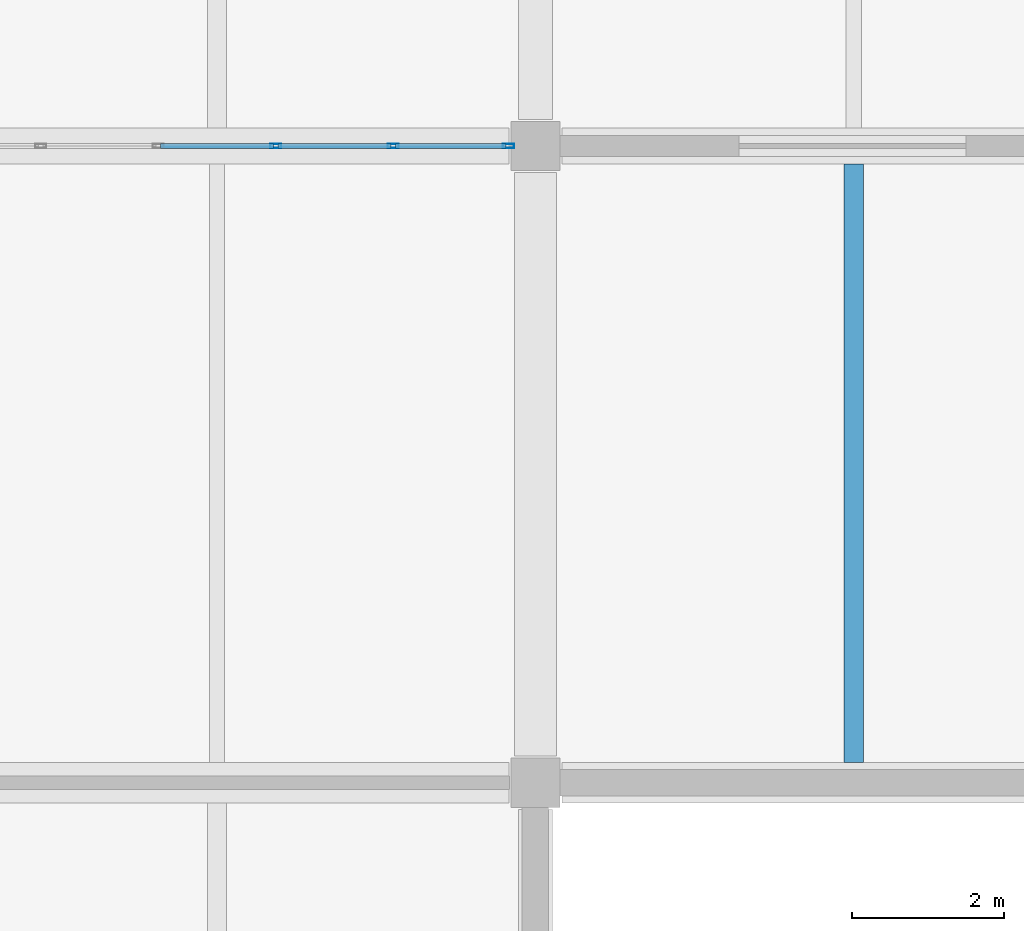
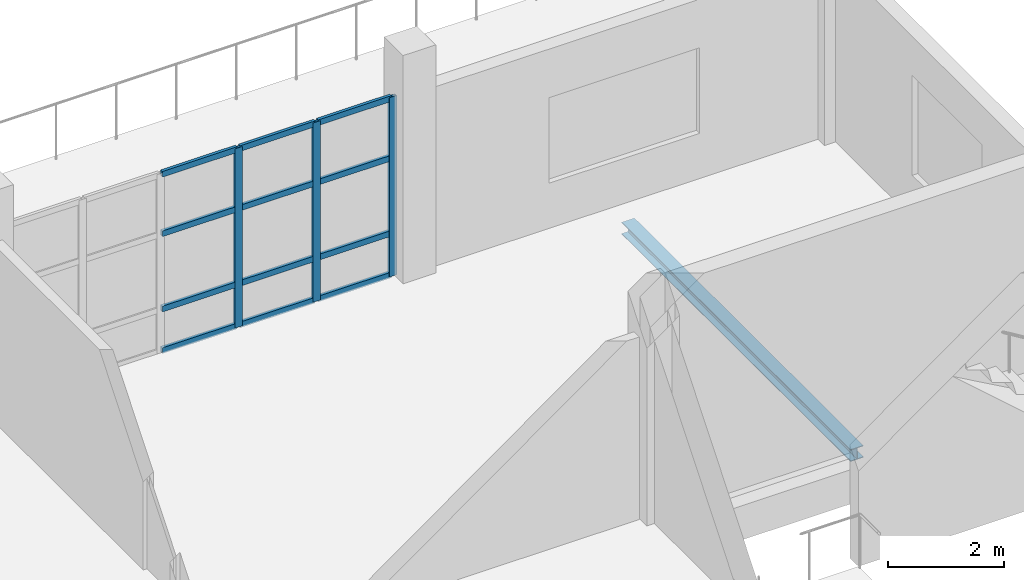
# One storey, part 46 of 79: 15 members, 1 beam, 1 element without a shape of its own.
"""IFC4 building model written with IfcOpenShell, lengths in metres."""

import ifcopenshell
import ifcopenshell.guid

model = None  # the IFC model being written
_history = None  # IfcOwnerHistory: only IFC2X3 demands one
_inside = {}  # id of a spatial element -> (the spatial element, [elements in it])
_under = {}  # id of a project, library or spatial element -> (it, [spatial elements below it])
_declared = {}  # id of a project -> (the project, [libraries it declares])
_typed = {}  # id of a type object -> (the type object, [elements of that type])
_made_of = {}  # id of a material, layer set ... -> (it, [elements and type objects made of it])


def new_model(schema):
    """Start an empty IFC model of exactly this schema.

    Asked for "IFC4X3", IfcOpenShell would pick the latest addendum, in which some entities
    have other attributes; the version numbers below select the first issue.
    IFC2X3 requires an IfcOwnerHistory on every rooted entity: one is made here for all.
    """
    global model, _history
    if schema == "IFC4X3":
        model = ifcopenshell.file(schema_version=(4, 3, 0, 0))
    else:
        model = ifcopenshell.file(schema=schema)
    _inside.clear()
    _under.clear()
    _declared.clear()
    _typed.clear()
    _made_of.clear()
    _history = None
    if model.schema == "IFC2X3":
        org = make("IfcOrganization", Name="unknown")
        user = make(
            "IfcPersonAndOrganization",
            ThePerson=make("IfcPerson", FamilyName="unknown"),
            TheOrganization=org,
        )
        app = make(
            "IfcApplication",
            ApplicationDeveloper=org,
            Version="unknown",
            ApplicationFullName="unknown",
            ApplicationIdentifier="unknown",
        )
        _history = make(
            "IfcOwnerHistory",
            OwningUser=user,
            OwningApplication=app,
            ChangeAction="ADDED",
            CreationDate=0,
        )
    return model


def make(cls, **values):
    """One entity of the class cls with the attributes given. An attribute that is None is left unset."""
    return model.create_entity(
        cls, **{name: value for name, value in values.items() if value is not None}
    )


def rooted(cls, **values):
    """An entity with a GlobalId (a new one), such as an element, a storey or a relation."""
    return make(cls, GlobalId=ifcopenshell.guid.new(), OwnerHistory=_history, **values)


def si_unit(unit_type, name, prefix=None):
    """IfcSIUnit, for example si_unit("LENGTHUNIT", "METRE", prefix="MILLI")."""
    return make("IfcSIUnit", UnitType=unit_type, Prefix=prefix, Name=name)


def assignment(units):
    """IfcUnitAssignment: the units of a project."""
    return None if units is None else make("IfcUnitAssignment", Units=units)


def point(xyz):
    """IfcCartesianPoint."""
    return None if xyz is None else make("IfcCartesianPoint", Coordinates=xyz)


def direction(xyz):
    """IfcDirection."""
    return None if xyz is None else make("IfcDirection", DirectionRatios=xyz)


def frame(location, z_axis=None, x_axis=None):
    """IfcAxis2Placement3D, a coordinate frame: its origin and axes. An axis left out is left unset."""
    return make(
        "IfcAxis2Placement3D",
        Location=point(location),
        Axis=direction(z_axis),
        RefDirection=direction(x_axis),
    )


def frame_2d(location, x_axis=None):
    """IfcAxis2Placement2D, a coordinate frame in the plane: its origin and x axis."""
    return make(
        "IfcAxis2Placement2D", Location=point(location), RefDirection=direction(x_axis)
    )


def origin():
    """The frame at (0, 0, 0) with its axes left unset."""
    return frame((0.0, 0.0, 0.0))


def origin_2d():
    """The frame at (0, 0) in the plane with its x axis left unset."""
    return frame_2d((0.0, 0.0))


def place(relative_to, where):
    """IfcLocalPlacement: puts the frame where relative to a parent placement (None: the world)."""
    return make(
        "IfcLocalPlacement", PlacementRelTo=relative_to, RelativePlacement=where
    )


def context(
    kind, dimensions, precision=None, world=None, true_north=None, identifier=None
):
    """IfcGeometricRepresentationContext, for example the 3D "Model" context."""
    return make(
        "IfcGeometricRepresentationContext",
        ContextIdentifier=identifier,
        ContextType=kind,
        CoordinateSpaceDimension=dimensions,
        Precision=precision,
        WorldCoordinateSystem=world,
        TrueNorth=true_north,
    )


def subcontext(parent, identifier, kind, view, scale=None):
    """IfcGeometricRepresentationSubContext, for example "Body" below "Model"."""
    return make(
        "IfcGeometricRepresentationSubContext",
        ContextIdentifier=identifier,
        ContextType=kind,
        ParentContext=parent,
        TargetScale=scale,
        TargetView=view,
    )


def project(units=None, contexts=None):
    """IfcProject with its units and contexts."""
    return rooted(
        "IfcProject",
        Name="project",
        RepresentationContexts=contexts,
        UnitsInContext=assignment(units),
    )


def spatial(cls, under=None, at=None, **own):
    """A site, building, storey or space (cls), placed at a placement, below another one or the project."""
    s = rooted(cls, ObjectPlacement=at, **own)
    if under is not None:
        _under.setdefault(under.id(), (under, []))[1].append(s)
    return s


def profile(cls, at=None, kind="AREA", **sizes):
    """A parametric profile (cls). Its sizes go by their IFC names, for example OverallWidth=200.0."""
    return make(cls, ProfileType=kind, Position=at, **sizes)


def hollow_rectangle(**sizes):
    """IfcRectangleHollowProfileDef."""
    return profile("IfcRectangleHollowProfileDef", **sizes)


def i_section(**sizes):
    """IfcIShapeProfileDef."""
    return profile("IfcIShapeProfileDef", **sizes)


def extrude(swept, where, along, depth):
    """IfcExtrudedAreaSolid: the profile swept, set in the frame where, extruded along a direction by depth."""
    return make(
        "IfcExtrudedAreaSolid",
        SweptArea=swept,
        Position=where,
        ExtrudedDirection=direction(along),
        Depth=depth,
    )


def shape(context_of_items, identifier, shape_type, items):
    """IfcShapeRepresentation: the items that make up one representation, for example the "Body"."""
    return make(
        "IfcShapeRepresentation",
        ContextOfItems=context_of_items,
        RepresentationIdentifier=identifier,
        RepresentationType=shape_type,
        Items=items,
    )


def material(Name=None, Category=None):
    """IfcMaterial."""
    return make("IfcMaterial", Name=Name, Category=Category)


def material_profile(
    of_material, cross_section, Name=None, Category=None, Priority=None
):
    """IfcMaterialProfile: a cross section and its material."""
    return make(
        "IfcMaterialProfile",
        Name=Name,
        Material=of_material,
        Profile=cross_section,
        Priority=Priority,
        Category=Category,
    )


def profile_set(profiles, Name=None, composite=None):
    """IfcMaterialProfileSet."""
    return make(
        "IfcMaterialProfileSet",
        Name=Name,
        MaterialProfiles=profiles,
        CompositeProfile=composite,
    )


def made_of(thing, what):
    """Note that an element or type object is made of a material, layer set ...; save() writes the relation."""
    if what is not None:
        _made_of.setdefault(what.id(), (what, []))[1].append(thing)
    return thing


def type_object(cls, material=None, **own):
    """A type object (cls), such as IfcWallType, which elements share."""
    return made_of(rooted(cls, **own), material)


def element(
    cls,
    number,
    at=None,
    inside=None,
    cuts=None,
    type_object=None,
    material=None,
    context=None,
    identifier="Body",
    shape_type=None,
    held_by="IfcProductDefinitionShape",
    body=None,
    shapes=None,
    **own,
):
    """One element of the class cls, such as IfcWall. Its Tag is "e" and its number.

    at: its placement. inside: the storey or other place that contains it. cuts: it is an
    opening in that element (IfcRelVoidsElement). A single representation is given by context,
    identifier, shape_type and body (its items); several are given by shapes. held_by: the class
    of the entity that holds the representations. save() writes the other relations.
    """
    e = rooted(cls, Tag="e%d" % number, ObjectPlacement=at, **own)
    if body is not None:
        shapes = [shape(context, identifier, shape_type, body)]
    if shapes is not None:
        e.Representation = make(held_by, Representations=shapes)
    if inside is not None:
        _inside.setdefault(inside.id(), (inside, []))[1].append(e)
    if cuts is not None:
        rooted(
            "IfcRelVoidsElement", RelatingBuildingElement=cuts, RelatedOpeningElement=e
        )
    if type_object is not None:
        _typed.setdefault(type_object.id(), (type_object, []))[1].append(e)
    return made_of(e, material)


def aggregate(whole, parts):
    """IfcRelAggregates: a whole, such as a stair, and the parts it consists of."""
    return rooted("IfcRelAggregates", RelatingObject=whole, RelatedObjects=parts)


def save(model, path):
    """Write the relations noted so far, then the file.

    IfcRelAggregates (storeys below a building ...), IfcRelContainedInSpatialStructure (elements
    in a storey), IfcRelDefinesByType, IfcRelAssociatesMaterial and IfcRelDeclares: one each for
    every whole, place, type object, material and project.
    """
    for whole, parts in _under.values():
        aggregate(whole, parts)
    for where, things in _inside.values():
        rooted(
            "IfcRelContainedInSpatialStructure",
            RelatedElements=things,
            RelatingStructure=where,
        )
    for kind, things in _typed.values():
        rooted("IfcRelDefinesByType", RelatedObjects=things, RelatingType=kind)
    for what, things in _made_of.values():
        rooted("IfcRelAssociatesMaterial", RelatedObjects=things, RelatingMaterial=what)
    for by, libraries in _declared.values():
        rooted("IfcRelDeclares", RelatingContext=by, RelatedDefinitions=libraries)
    model.write(path)


model = new_model("IFC4")

# Units and contexts
model_context = context("Model", 3, precision=1e-05, world=origin(), true_north=direction((0.0, 1.0)))
body_context = subcontext(model_context, "Body", "Model", "MODEL_VIEW")
ifc_project = project(units=[si_unit("LENGTHUNIT", "METRE"), si_unit("AREAUNIT", "SQUARE_METRE"), si_unit("VOLUMEUNIT", "CUBIC_METRE"), si_unit("PLANEANGLEUNIT", "RADIAN"), si_unit("MASSUNIT", "GRAM", prefix="KILO")], contexts=[model_context])

# Site, building, storey
site_placement = place(None, origin())
site = spatial("IfcSite", under=ifc_project, at=site_placement, CompositionType="ELEMENT")
building_placement = place(site_placement, origin())
building = spatial("IfcBuilding", under=site, at=building_placement, Name="Pellamere Symphony Hall", CompositionType="ELEMENT")
storey_placement = place(building_placement, frame((0.0, 0.0, 10.199951171875)))
storey = spatial("IfcBuildingStorey", under=building, at=storey_placement, Name="L02", CompositionType="ELEMENT", Elevation=10.199951171875)

# Curtain wall, members
ifc_material_1 = material(Name="Thermally Broken Anodised Aluminium 6063-T6 Curtain Wall", Category="aluminium")
curtain_wall_type = type_object("IfcCurtainWallType", Name="Curtain Wall CW-05 (Artists Wing North Studio Ribbon Curtain Wall)", PredefinedType="NOTDEFINED", material=ifc_material_1)
curtain_wall_placement = place(storey_placement, origin())
curtain_wall = element("IfcCurtainWall", 1, at=curtain_wall_placement, inside=storey, type_object=curtain_wall_type, Name="Artists Wing North Studio Curtain Wall (L02 Bay 2)", PredefinedType="NOTDEFINED")
ifc_material_2 = material(Name="Anodised Architectural Aluminium 6063-T6", Category="aluminium")
ifc_material_profile_1 = material_profile(ifc_material_2, hollow_rectangle(XDim=0.06005859375, YDim=0.14990234375, WallThickness=0.00390625, at=origin_2d()), Name="ALU-M60X150X4")
ifc_profile_set_1 = profile_set([ifc_material_profile_1], Name="Anodised Architectural Aluminium 6063-T6")
member_type_1 = type_object("IfcMemberType", Name="Curtain Wall Mullion ML-03 ALU-M60X150X4", PredefinedType="MULLION", material=ifc_profile_set_1)
member_1_placement = place(storey_placement, frame((160.97509765625, 93.60009765625, 0.0), z_axis=(0.0, 0.0, 1.0), x_axis=(0.0, 1.0, 0.0)))
member_1 = element("IfcMember", 2, at=member_1_placement, type_object=member_type_1, Name="CW5-136 crystal mullion 4", PredefinedType="MULLION", context=body_context, shape_type="SweptSolid", body=[
    extrude(hollow_rectangle(XDim=0.06005859375, YDim=0.14990234375, WallThickness=0.00390625, at=origin_2d()), origin(), (0.0, 0.0, 1.0), 3.77001953125),
])
member_2_placement = place(storey_placement, frame((162.52490234375, 93.60009765625, 0.0), z_axis=(0.0, 0.0, 1.0), x_axis=(0.0, 1.0, 0.0)))
member_2 = element("IfcMember", 3, at=member_2_placement, type_object=member_type_1, Name="CW5-136 crystal mullion 5", PredefinedType="MULLION", context=body_context, shape_type="SweptSolid", body=[
    extrude(hollow_rectangle(XDim=0.06005859375, YDim=0.14990234375, WallThickness=0.00390625, at=origin_2d()), origin(), (0.0, 0.0, 1.0), 3.77001953125),
])
member_3_placement = place(storey_placement, frame((164.044921875, 93.60009765625, 0.0), z_axis=(0.0, 0.0, 1.0), x_axis=(0.0, 1.0, 0.0)))
member_3 = element("IfcMember", 4, at=member_3_placement, type_object=member_type_1, Name="CW5-136 crystal mullion 6", PredefinedType="MULLION", context=body_context, shape_type="SweptSolid", body=[
    extrude(hollow_rectangle(XDim=0.06005859375, YDim=0.14990234375, WallThickness=0.00390625, at=origin_2d()), origin(), (0.0, 0.0, 1.0), 3.77001953125),
])
ifc_material_profile_2 = material_profile(ifc_material_2, hollow_rectangle(XDim=0.06005859375, YDim=0.1201171875, WallThickness=0.00390625, at=origin_2d()), Name="ALU-T60X120X4")
ifc_profile_set_2 = profile_set([ifc_material_profile_2], Name="Anodised Architectural Aluminium 6063-T6")
member_type_2 = type_object("IfcMemberType", Name="Curtain Wall Transom TR-03 ALU-T60X120X4", PredefinedType="USERDEFINED", material=ifc_profile_set_2)
member_4_placement = place(storey_placement, frame((159.455078125, 93.60009765625, 0.030029296875), z_axis=(1.0, 0.0, 0.0), x_axis=(0.0, 1.0, 0.0)))
member_4 = element("IfcMember", 5, at=member_4_placement, type_object=member_type_2, Name="CW5-136 crystal transom 3.1", ObjectType="TRANSOM", PredefinedType="USERDEFINED", context=body_context, shape_type="SweptSolid", body=[
    extrude(hollow_rectangle(XDim=0.06005859375, YDim=0.1201171875, WallThickness=0.00390625, at=origin_2d()), origin(), (0.0, 0.0, 1.0), 1.489990234375),
])
member_5_placement = place(storey_placement, frame((159.455078125, 93.60009765625, 0.90478515625), z_axis=(1.0, 0.0, 0.0), x_axis=(0.0, 1.0, 0.0)))
member_5 = element("IfcMember", 6, at=member_5_placement, type_object=member_type_2, Name="CW5-136 crystal transom 3.2", ObjectType="TRANSOM", PredefinedType="USERDEFINED", context=body_context, shape_type="SweptSolid", body=[
    extrude(hollow_rectangle(XDim=0.06005859375, YDim=0.1201171875, WallThickness=0.00390625, at=origin_2d()), origin(), (0.0, 0.0, 1.0), 1.489990234375),
])
member_6_placement = place(storey_placement, frame((159.455078125, 93.60009765625, 2.48828125), z_axis=(1.0, 0.0, 0.0), x_axis=(0.0, 1.0, 0.0)))
member_6 = element("IfcMember", 7, at=member_6_placement, type_object=member_type_2, Name="CW5-136 crystal transom 3.3", ObjectType="TRANSOM", PredefinedType="USERDEFINED", context=body_context, shape_type="SweptSolid", body=[
    extrude(hollow_rectangle(XDim=0.06005859375, YDim=0.1201171875, WallThickness=0.00390625, at=origin_2d()), origin(), (0.0, 0.0, 1.0), 1.489990234375),
])
member_7_placement = place(storey_placement, frame((159.455078125, 93.60009765625, 3.739990234375), z_axis=(1.0, 0.0, 0.0), x_axis=(0.0, 1.0, 0.0)))
member_7 = element("IfcMember", 8, at=member_7_placement, type_object=member_type_2, Name="CW5-136 crystal transom 3.4", ObjectType="TRANSOM", PredefinedType="USERDEFINED", context=body_context, shape_type="SweptSolid", body=[
    extrude(hollow_rectangle(XDim=0.06005859375, YDim=0.1201171875, WallThickness=0.00390625, at=origin_2d()), origin(), (0.0, 0.0, 1.0), 1.489990234375),
])
member_8_placement = place(storey_placement, frame((161.0048828125, 93.60009765625, 0.030029296875), z_axis=(1.0, 0.0, 0.0), x_axis=(0.0, 1.0, 0.0)))
member_8 = element("IfcMember", 9, at=member_8_placement, type_object=member_type_2, Name="CW5-136 crystal transom 4.1", ObjectType="TRANSOM", PredefinedType="USERDEFINED", context=body_context, shape_type="SweptSolid", body=[
    extrude(hollow_rectangle(XDim=0.06005859375, YDim=0.1201171875, WallThickness=0.00390625, at=origin_2d()), origin(), (0.0, 0.0, 1.0), 1.490234375),
])
member_9_placement = place(storey_placement, frame((161.0048828125, 93.60009765625, 0.90478515625), z_axis=(1.0, 0.0, 0.0), x_axis=(0.0, 1.0, 0.0)))
member_9 = element("IfcMember", 10, at=member_9_placement, type_object=member_type_2, Name="CW5-136 crystal transom 4.2", ObjectType="TRANSOM", PredefinedType="USERDEFINED", context=body_context, shape_type="SweptSolid", body=[
    extrude(hollow_rectangle(XDim=0.06005859375, YDim=0.1201171875, WallThickness=0.00390625, at=origin_2d()), origin(), (0.0, 0.0, 1.0), 1.490234375),
])
member_10_placement = place(storey_placement, frame((161.0048828125, 93.60009765625, 2.48828125), z_axis=(1.0, 0.0, 0.0), x_axis=(0.0, 1.0, 0.0)))
member_10 = element("IfcMember", 11, at=member_10_placement, type_object=member_type_2, Name="CW5-136 crystal transom 4.3", ObjectType="TRANSOM", PredefinedType="USERDEFINED", context=body_context, shape_type="SweptSolid", body=[
    extrude(hollow_rectangle(XDim=0.06005859375, YDim=0.1201171875, WallThickness=0.00390625, at=origin_2d()), origin(), (0.0, 0.0, 1.0), 1.490234375),
])
member_11_placement = place(storey_placement, frame((161.0048828125, 93.60009765625, 3.739990234375), z_axis=(1.0, 0.0, 0.0), x_axis=(0.0, 1.0, 0.0)))
member_11 = element("IfcMember", 12, at=member_11_placement, type_object=member_type_2, Name="CW5-136 crystal transom 4.4", ObjectType="TRANSOM", PredefinedType="USERDEFINED", context=body_context, shape_type="SweptSolid", body=[
    extrude(hollow_rectangle(XDim=0.06005859375, YDim=0.1201171875, WallThickness=0.00390625, at=origin_2d()), origin(), (0.0, 0.0, 1.0), 1.490234375),
])
member_12_placement = place(storey_placement, frame((162.554931640625, 93.60009765625, 0.030029296875), z_axis=(1.0, 0.0, 0.0), x_axis=(0.0, 1.0, 0.0)))
member_12 = element("IfcMember", 13, at=member_12_placement, type_object=member_type_2, Name="CW5-136 crystal transom 5.1", ObjectType="TRANSOM", PredefinedType="USERDEFINED", context=body_context, shape_type="SweptSolid", body=[
    extrude(hollow_rectangle(XDim=0.06005859375, YDim=0.1201171875, WallThickness=0.00390625, at=origin_2d()), origin(), (0.0, 0.0, 1.0), 1.4599609375),
])
member_13_placement = place(storey_placement, frame((162.554931640625, 93.60009765625, 0.90478515625), z_axis=(1.0, 0.0, 0.0), x_axis=(0.0, 1.0, 0.0)))
member_13 = element("IfcMember", 14, at=member_13_placement, type_object=member_type_2, Name="CW5-136 crystal transom 5.2", ObjectType="TRANSOM", PredefinedType="USERDEFINED", context=body_context, shape_type="SweptSolid", body=[
    extrude(hollow_rectangle(XDim=0.06005859375, YDim=0.1201171875, WallThickness=0.00390625, at=origin_2d()), origin(), (0.0, 0.0, 1.0), 1.4599609375),
])
member_14_placement = place(storey_placement, frame((162.554931640625, 93.60009765625, 2.48828125), z_axis=(1.0, 0.0, 0.0), x_axis=(0.0, 1.0, 0.0)))
member_14 = element("IfcMember", 15, at=member_14_placement, type_object=member_type_2, Name="CW5-136 crystal transom 5.3", ObjectType="TRANSOM", PredefinedType="USERDEFINED", context=body_context, shape_type="SweptSolid", body=[
    extrude(hollow_rectangle(XDim=0.06005859375, YDim=0.1201171875, WallThickness=0.00390625, at=origin_2d()), origin(), (0.0, 0.0, 1.0), 1.4599609375),
])
member_15_placement = place(storey_placement, frame((162.554931640625, 93.60009765625, 3.739990234375), z_axis=(1.0, 0.0, 0.0), x_axis=(0.0, 1.0, 0.0)))
member_15 = element("IfcMember", 16, at=member_15_placement, type_object=member_type_2, Name="CW5-136 crystal transom 5.4", ObjectType="TRANSOM", PredefinedType="USERDEFINED", context=body_context, shape_type="SweptSolid", body=[
    extrude(hollow_rectangle(XDim=0.06005859375, YDim=0.1201171875, WallThickness=0.00390625, at=origin_2d()), origin(), (0.0, 0.0, 1.0), 1.4599609375),
])
aggregate(curtain_wall, [member_1, member_2, member_3, member_4, member_5, member_6, member_7, member_8, member_9, member_10, member_11, member_12, member_13, member_14, member_15])

# Beam
ifc_material_3 = material(Name="Steel CSA G40.21 350W", Category="steel")
ifc_material_profile_3 = material_profile(ifc_material_3, i_section(OverallWidth=0.25390625, OverallDepth=0.2529296875, WebThickness=0.008544921875, FlangeThickness=0.01416015625, at=origin_2d()), Name="W250X73")
ifc_profile_set_3 = profile_set([ifc_material_profile_3], Name="Steel CSA G40.21 350W")
beam_type = type_object("IfcBeamType", Name="Steel Joist SB-24 W250X73", PredefinedType="JOIST", material=ifc_profile_set_3)
beam_placement = place(storey_placement, frame((168.60009765625, 85.469970703125, -0.42138671875), z_axis=(0.0, 1.0, 0.0), x_axis=(-1.0, 0.0, 0.0)))
element("IfcBeam", 17, at=beam_placement, inside=storey, type_object=beam_type, Name="Secondary Floor Beam SB-24-M2011 (L02)", PredefinedType="JOIST", context=body_context, shape_type="SweptSolid", body=[
    extrude(i_section(OverallWidth=0.25390625, OverallDepth=0.2529296875, WebThickness=0.008544921875, FlangeThickness=0.01416015625, at=origin_2d()), origin(), (0.0, 0.0, 1.0), 7.89013671875),
])

save(model, "model.ifc")
